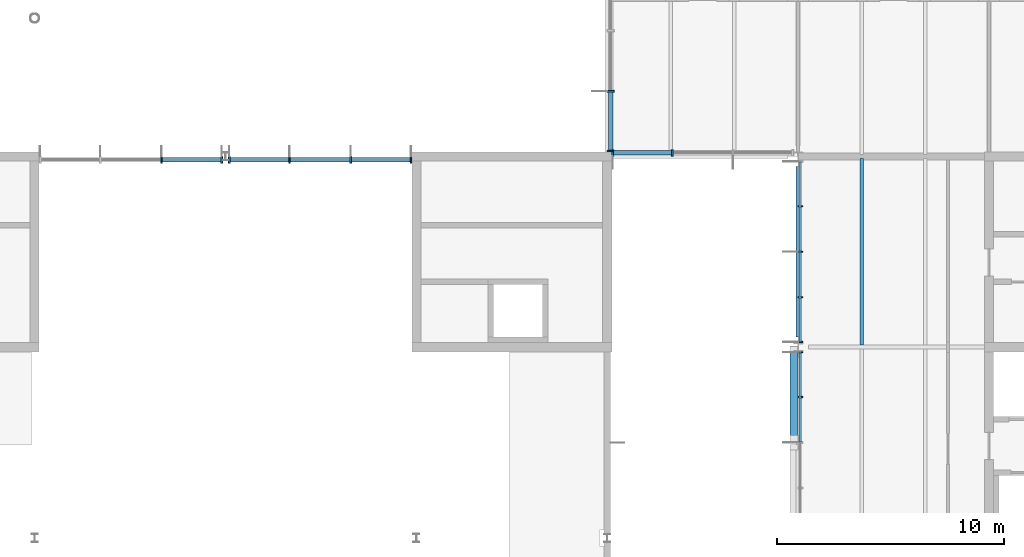
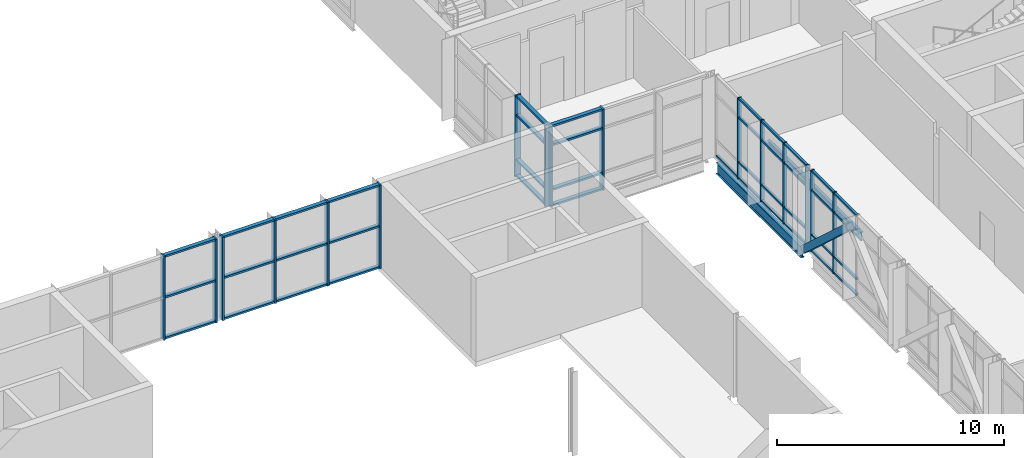
# One storey, part 27 of 89: 58 members, 2 beams, 6 elements without a shape of their own.
"""IFC4 building model written with IfcOpenShell, lengths in metres."""

from ifc_helpers import new_model, si_unit, direction, frame, origin, origin_2d, place, context, subcontext, project, spatial, rectangle, hollow_rectangle, i_section, extrude, material, material_profile, profile_set, type_object, element, aggregate, save


model = new_model("IFC4")

# Units and contexts
model_context = context("Model", 3, precision=1e-05, world=origin(), true_north=direction((0.0, 1.0)))
body_context = subcontext(model_context, "Body", "Model", "MODEL_VIEW")
ifc_project = project(units=[si_unit("LENGTHUNIT", "METRE"), si_unit("AREAUNIT", "SQUARE_METRE"), si_unit("VOLUMEUNIT", "CUBIC_METRE"), si_unit("PLANEANGLEUNIT", "RADIAN"), si_unit("MASSUNIT", "GRAM", prefix="KILO")], contexts=[model_context])

# Site, building, storey
site_placement = place(None, origin())
site = spatial("IfcSite", under=ifc_project, at=site_placement, CompositionType="ELEMENT")
building_placement = place(site_placement, origin())
building = spatial("IfcBuilding", under=site, at=building_placement, Name="Hlaing Beacon Police Headquarters", CompositionType="ELEMENT")
storey_placement = place(building_placement, frame((0.0, 0.0, 9.89990234375)))
storey = spatial("IfcBuildingStorey", under=building, at=storey_placement, Name="L02", CompositionType="ELEMENT", Elevation=9.89990234375)

# Member
ifc_material_1 = material(Name="Steel ASTM A500 Grade C", Category="steel")
ifc_material_profile_1 = material_profile(ifc_material_1, hollow_rectangle(XDim=0.355712890625, YDim=0.355712890625, WallThickness=0.015869140625, at=origin_2d()), Name="HSS14x14x5/8")
ifc_profile_set_1 = profile_set([ifc_material_profile_1], Name="Steel ASTM A500 Grade C")
member_type_1 = type_object("IfcMemberType", Name="Chevron brace HSS14x14x5/8", PredefinedType="BRACE", material=ifc_profile_set_1)
member_1_placement = place(storey_placement, frame((100.6181640625, 58.721923828125, 0.131103515625), z_axis=(0.0, -0.738007893761, 0.67479207816), x_axis=(1.0, 0.0, 0.0)))
element("IfcMember", 1, at=member_1_placement, inside=storey, type_object=member_type_1, Name="STR-BR-L02-N7b", PredefinedType="BRACE", context=body_context, shape_type="SweptSolid", body=[
    extrude(hollow_rectangle(XDim=0.355712890625, YDim=0.355712890625, WallThickness=0.015869140625, at=origin_2d()), origin(), (0.0, 0.0, 1.0), 5.314208984375),
])

# Beam
ifc_material_2 = material(Name="Steel ASTM A992 Grade 50", Category="steel")
ifc_material_profile_2 = material_profile(ifc_material_2, i_section(OverallWidth=0.177978515625, OverallDepth=0.599365234375, WebThickness=0.010009765625, FlangeThickness=0.012939453125, FilletRadius=0.012939453125, at=origin_2d()), Name="W24x55")
ifc_profile_set_2 = profile_set([ifc_material_profile_2], Name="Steel ASTM A992 Grade 50")
beam_type_1 = type_object("IfcBeamType", Name="Girder W24x55", PredefinedType="BEAM", material=ifc_profile_set_2)
beam_1_placement = place(storey_placement, frame((100.800048828125, 59.25, -0.4296875), z_axis=(0.0, 1.0, 0.0), x_axis=(-1.0, 0.0, 0.0)))
element("IfcBeam", 2, at=beam_1_placement, inside=storey, type_object=beam_type_1, Name="STR-BM-L02-GY-N8-N9", PredefinedType="BEAM", context=body_context, shape_type="SweptSolid", body=[
    extrude(i_section(OverallWidth=0.177978515625, OverallDepth=0.599365234375, WebThickness=0.010009765625, FlangeThickness=0.012939453125, FilletRadius=0.012939453125, at=origin_2d()), origin(), (0.0, 0.0, 1.0), 7.5),
])

# Curtain wall, members
ifc_material_3 = material(Name="Aluminium frame with solar control glazing", Category="aluminium")
curtain_wall_type_1 = type_object("IfcCurtainWallType", Name="Unitised curtain wall 8.02 x 4.37", PredefinedType="NOTDEFINED", material=ifc_material_3)
curtain_wall_1_placement = place(storey_placement, origin())
curtain_wall_1 = element("IfcCurtainWall", 3, at=curtain_wall_1_placement, inside=storey, type_object=curtain_wall_type_1, Name="ENV-CW-L02-W030", PredefinedType="NOTDEFINED")
ifc_material_4 = material(Name="Aluminium", Category="aluminium")
ifc_material_profile_3 = material_profile(ifc_material_4, rectangle(XDim=0.199951171875, YDim=0.06005859375, at=origin_2d()), Name="Mullion 60x200")
ifc_profile_set_3 = profile_set([ifc_material_profile_3], Name="Aluminium")
member_type_2 = type_object("IfcMemberType", Name="Mullion 60x200", PredefinedType="MULLION", material=ifc_profile_set_3)
member_2_placement = place(storey_placement, frame((100.89990234375, 65.00732421875, 0.0), z_axis=(0.0, 0.0, 1.0), x_axis=(1.0, 0.0, 0.0)))
member_2 = element("IfcMember", 4, at=member_2_placement, type_object=member_type_2, Name="CW-L02-W030 mullion 2", PredefinedType="MULLION", context=body_context, shape_type="SweptSolid", body=[
    extrude(rectangle(XDim=0.199951171875, YDim=0.06005859375, at=origin_2d()), origin(), (0.0, 0.0, 1.0), 4.3701171875),
])
member_3_placement = place(storey_placement, frame((100.89990234375, 63.00244140625, 0.0), z_axis=(0.0, 0.0, 1.0), x_axis=(1.0, 0.0, 0.0)))
member_3 = element("IfcMember", 5, at=member_3_placement, type_object=member_type_2, Name="CW-L02-W030 mullion 3", PredefinedType="MULLION", context=body_context, shape_type="SweptSolid", body=[
    extrude(rectangle(XDim=0.199951171875, YDim=0.06005859375, at=origin_2d()), origin(), (0.0, 0.0, 1.0), 4.3701171875),
])
member_4_placement = place(storey_placement, frame((100.89990234375, 60.997802734375, 0.0), z_axis=(0.0, 0.0, 1.0), x_axis=(1.0, 0.0, 0.0)))
member_4 = element("IfcMember", 6, at=member_4_placement, type_object=member_type_2, Name="CW-L02-W030 mullion 4", PredefinedType="MULLION", context=body_context, shape_type="SweptSolid", body=[
    extrude(rectangle(XDim=0.199951171875, YDim=0.06005859375, at=origin_2d()), origin(), (0.0, 0.0, 1.0), 4.3701171875),
])
member_5_placement = place(storey_placement, frame((100.89990234375, 59.02294921875, 0.0), z_axis=(0.0, 0.0, 1.0), x_axis=(1.0, 0.0, 0.0)))
member_5 = element("IfcMember", 7, at=member_5_placement, type_object=member_type_2, Name="CW-L02-W030 mullion 5", PredefinedType="MULLION", context=body_context, shape_type="SweptSolid", body=[
    extrude(rectangle(XDim=0.199951171875, YDim=0.06005859375, at=origin_2d()), origin(), (0.0, 0.0, 1.0), 4.3701171875),
])

ifc_material_5 = material(Name="Aluminium frame with solar control glazing", Category="aluminium")
curtain_wall_type_2 = type_object("IfcCurtainWallType", Name="Unitised curtain wall 8.01 x 4.37", PredefinedType="NOTDEFINED", material=ifc_material_5)
curtain_wall_2_placement = place(storey_placement, origin())
curtain_wall_2 = element("IfcCurtainWall", 8, at=curtain_wall_2_placement, inside=storey, type_object=curtain_wall_type_2, Name="ENV-CW-L02-W031", PredefinedType="NOTDEFINED")
member_6_placement = place(storey_placement, frame((100.89990234375, 58.576904296875, 0.0), z_axis=(0.0, 0.0, 1.0), x_axis=(1.0, 0.0, 0.0)))
member_6 = element("IfcMember", 9, at=member_6_placement, type_object=member_type_2, Name="CW-L02-W031 mullion 1", PredefinedType="MULLION", context=body_context, shape_type="SweptSolid", body=[
    extrude(rectangle(XDim=0.199951171875, YDim=0.06005859375, at=origin_2d()), origin(), (0.0, 0.0, 1.0), 4.3701171875),
])
member_7_placement = place(storey_placement, frame((100.89990234375, 56.603515625, 0.0), z_axis=(0.0, 0.0, 1.0), x_axis=(1.0, 0.0, 0.0)))
member_7 = element("IfcMember", 10, at=member_7_placement, type_object=member_type_2, Name="CW-L02-W031 mullion 2", PredefinedType="MULLION", context=body_context, shape_type="SweptSolid", body=[
    extrude(rectangle(XDim=0.199951171875, YDim=0.06005859375, at=origin_2d()), origin(), (0.0, 0.0, 1.0), 4.3701171875),
])

ifc_material_6 = material(Name="Aluminium frame with solar control glazing", Category="aluminium")
curtain_wall_type_3 = type_object("IfcCurtainWallType", Name="Structural glazed gable wall 8.07 x 4.50", PredefinedType="NOTDEFINED", material=ifc_material_6)
curtain_wall_3_placement = place(storey_placement, origin())
curtain_wall_3 = element("IfcCurtainWall", 11, at=curtain_wall_3_placement, inside=storey, type_object=curtain_wall_type_3, Name="ENV-CW-L02-N003", PredefinedType="NOTDEFINED")
ifc_material_7 = material(Name="Aluminium", Category="aluminium")
ifc_material_profile_4 = material_profile(ifc_material_7, rectangle(XDim=0.300048828125, YDim=0.080078125, at=origin_2d()), Name="Mullion 80x300")
ifc_profile_set_4 = profile_set([ifc_material_profile_4], Name="Aluminium")
member_type_3 = type_object("IfcMemberType", Name="Mullion 80x300", PredefinedType="MULLION", material=ifc_profile_set_4)
member_8_placement = place(storey_placement, frame((83.760009765625, 67.050048828125, 0.0), z_axis=(0.0, 0.0, 1.0), x_axis=(0.0, -1.0, 0.0)))
member_8 = element("IfcMember", 12, at=member_8_placement, type_object=member_type_3, Name="CW-L02-N003 mullion 1", PredefinedType="MULLION", context=body_context, shape_type="SweptSolid", body=[
    extrude(rectangle(XDim=0.300048828125, YDim=0.080078125, at=origin_2d()), origin(), (0.0, 0.0, 1.0), 4.5),
])
member_9_placement = place(storey_placement, frame((81.109375, 67.050048828125, 0.0), z_axis=(0.0, 0.0, 1.0), x_axis=(0.0, -1.0, 0.0)))
member_9 = element("IfcMember", 13, at=member_9_placement, type_object=member_type_3, Name="CW-L02-N003 mullion 2", PredefinedType="MULLION", context=body_context, shape_type="SweptSolid", body=[
    extrude(rectangle(XDim=0.300048828125, YDim=0.080078125, at=origin_2d()), origin(), (0.0, 0.0, 1.0), 4.5),
])
member_10_placement = place(storey_placement, frame((78.4189453125, 67.050048828125, 0.0), z_axis=(0.0, 0.0, 1.0), x_axis=(0.0, -1.0, 0.0)))
member_10 = element("IfcMember", 14, at=member_10_placement, type_object=member_type_3, Name="CW-L02-N003 mullion 3", PredefinedType="MULLION", context=body_context, shape_type="SweptSolid", body=[
    extrude(rectangle(XDim=0.300048828125, YDim=0.080078125, at=origin_2d()), origin(), (0.0, 0.0, 1.0), 4.5),
])
member_11_placement = place(storey_placement, frame((75.768310546875, 67.050048828125, 0.0), z_axis=(0.0, 0.0, 1.0), x_axis=(0.0, -1.0, 0.0)))
member_11 = element("IfcMember", 15, at=member_11_placement, type_object=member_type_3, Name="CW-L02-N003 mullion 4", PredefinedType="MULLION", context=body_context, shape_type="SweptSolid", body=[
    extrude(rectangle(XDim=0.300048828125, YDim=0.080078125, at=origin_2d()), origin(), (0.0, 0.0, 1.0), 4.5),
])

curtain_wall_4_placement = place(storey_placement, origin())
curtain_wall_4 = element("IfcCurtainWall", 16, at=curtain_wall_4_placement, inside=storey, type_object=curtain_wall_type_3, Name="ENV-CW-L02-N004", PredefinedType="NOTDEFINED")
member_12_placement = place(storey_placement, frame((75.431640625, 67.050048828125, 0.0), z_axis=(0.0, 0.0, 1.0), x_axis=(0.0, -1.0, 0.0)))
member_12 = element("IfcMember", 17, at=member_12_placement, type_object=member_type_3, Name="CW-L02-N004 mullion 1", PredefinedType="MULLION", context=body_context, shape_type="SweptSolid", body=[
    extrude(rectangle(XDim=0.300048828125, YDim=0.080078125, at=origin_2d()), origin(), (0.0, 0.0, 1.0), 4.5),
])
member_13_placement = place(storey_placement, frame((72.78125, 67.050048828125, 0.0), z_axis=(0.0, 0.0, 1.0), x_axis=(0.0, -1.0, 0.0)))
member_13 = element("IfcMember", 18, at=member_13_placement, type_object=member_type_3, Name="CW-L02-N004 mullion 2", PredefinedType="MULLION", context=body_context, shape_type="SweptSolid", body=[
    extrude(rectangle(XDim=0.300048828125, YDim=0.080078125, at=origin_2d()), origin(), (0.0, 0.0, 1.0), 4.5),
])

ifc_material_8 = material(Name="Aluminium frame with solar control glazing", Category="aluminium")
curtain_wall_type_4 = type_object("IfcCurtainWallType", Name="Structural glazed gable wall 8.00 x 4.37", PredefinedType="NOTDEFINED", material=ifc_material_8)
curtain_wall_5_placement = place(storey_placement, origin())
curtain_wall_5 = element("IfcCurtainWall", 19, at=curtain_wall_5_placement, inside=storey, type_object=curtain_wall_type_4, Name="ENV-CW-L02-W028", PredefinedType="NOTDEFINED")
member_14_placement = place(storey_placement, frame((92.550048828125, 70.066650390625, 0.0), z_axis=(0.0, 0.0, 1.0), x_axis=(1.0, 0.0, 0.0)))
member_14 = element("IfcMember", 20, at=member_14_placement, type_object=member_type_3, Name="CW-L02-W028 mullion 3", PredefinedType="MULLION", context=body_context, shape_type="SweptSolid", body=[
    extrude(rectangle(XDim=0.300048828125, YDim=0.080078125, at=origin_2d()), origin(), (0.0, 0.0, 1.0), 4.3701171875),
])
member_15_placement = place(storey_placement, frame((92.550048828125, 67.43994140625, 0.0), z_axis=(0.0, 0.0, 1.0), x_axis=(1.0, 0.0, 0.0)))
member_15 = element("IfcMember", 21, at=member_15_placement, type_object=member_type_3, Name="CW-L02-W028 mullion 4", PredefinedType="MULLION", context=body_context, shape_type="SweptSolid", body=[
    extrude(rectangle(XDim=0.300048828125, YDim=0.080078125, at=origin_2d()), origin(), (0.0, 0.0, 1.0), 4.3701171875),
])

curtain_wall_6_placement = place(storey_placement, origin())
curtain_wall_6 = element("IfcCurtainWall", 22, at=curtain_wall_6_placement, inside=storey, type_object=curtain_wall_type_4, Name="ENV-CW-L02-S029", PredefinedType="NOTDEFINED")
member_16_placement = place(storey_placement, frame((92.639892578125, 67.35009765625, 0.0), z_axis=(0.0, 0.0, 1.0), x_axis=(0.0, 1.0, 0.0)))
member_16 = element("IfcMember", 23, at=member_16_placement, type_object=member_type_3, Name="CW-L02-S029 mullion 1", PredefinedType="MULLION", context=body_context, shape_type="SweptSolid", body=[
    extrude(rectangle(XDim=0.300048828125, YDim=0.080078125, at=origin_2d()), origin(), (0.0, 0.0, 1.0), 4.3701171875),
])
member_17_placement = place(storey_placement, frame((95.267822265625, 67.35009765625, 0.0), z_axis=(0.0, 0.0, 1.0), x_axis=(0.0, 1.0, 0.0)))
member_17 = element("IfcMember", 24, at=member_17_placement, type_object=member_type_3, Name="CW-L02-S029 mullion 2", PredefinedType="MULLION", context=body_context, shape_type="SweptSolid", body=[
    extrude(rectangle(XDim=0.300048828125, YDim=0.080078125, at=origin_2d()), origin(), (0.0, 0.0, 1.0), 4.3701171875),
])

# Beam
ifc_material_9 = material(Name="Steel ASTM A992 Grade 50", Category="steel")
ifc_material_profile_5 = material_profile(ifc_material_9, i_section(OverallWidth=0.15234375, OverallDepth=0.449462890625, WebThickness=0.007568359375, FlangeThickness=0.0107421875, FilletRadius=0.01025390625, at=origin_2d()), Name="W18x35")
ifc_profile_set_5 = profile_set([ifc_material_profile_5], Name="Steel ASTM A992 Grade 50")
beam_type_2 = type_object("IfcBeamType", Name="Secondary beam W18x35", PredefinedType="BEAM", material=ifc_profile_set_5)
beam_2_placement = place(storey_placement, frame((103.60009765625, 58.888916015625, -0.354736328125), z_axis=(0.0, 1.0, 0.0), x_axis=(-1.0, 0.0, 0.0)))
element("IfcBeam", 25, at=beam_2_placement, inside=storey, type_object=beam_type_2, Name="STR-BM-L02-SB-N8-y1", PredefinedType="BEAM", context=body_context, shape_type="SweptSolid", body=[
    extrude(i_section(OverallWidth=0.15234375, OverallDepth=0.449462890625, WebThickness=0.007568359375, FlangeThickness=0.0107421875, FilletRadius=0.01025390625, at=origin_2d()), origin(), (0.0, 0.0, 1.0), 8.22216796875),
])

# Member
ifc_material_10 = material(Name="Aluminium", Category="aluminium")
ifc_material_profile_6 = material_profile(ifc_material_10, rectangle(XDim=0.1201171875, YDim=0.10009765625, at=origin_2d()), Name="Transom 120x100")
ifc_profile_set_6 = profile_set([ifc_material_profile_6], Name="Aluminium")
member_type_4 = type_object("IfcMemberType", Name="Transom 120x100", PredefinedType="USERDEFINED", material=ifc_profile_set_6)
member_18_placement = place(storey_placement, frame((100.89990234375, 66.951904296875, 0.050048828125), z_axis=(0.0, -1.0, 0.0), x_axis=(1.0, 0.0, 0.0)))
member_18 = element("IfcMember", 26, at=member_18_placement, type_object=member_type_4, Name="CW-L02-W030 transom 1.1", ObjectType="TRANSOM", PredefinedType="USERDEFINED", context=body_context, shape_type="SweptSolid", body=[
    extrude(rectangle(XDim=0.1201171875, YDim=0.10009765625, at=origin_2d()), origin(), (0.0, 0.0, 1.0), 1.91455078125),
])

member_19_placement = place(storey_placement, frame((100.89990234375, 64.977294921875, 0.050048828125), z_axis=(0.0, -1.0, 0.0), x_axis=(1.0, 0.0, 0.0)))
member_19 = element("IfcMember", 27, at=member_19_placement, type_object=member_type_4, Name="CW-L02-W030 transom 2.1", ObjectType="TRANSOM", PredefinedType="USERDEFINED", context=body_context, shape_type="SweptSolid", body=[
    extrude(rectangle(XDim=0.1201171875, YDim=0.10009765625, at=origin_2d()), origin(), (0.0, 0.0, 1.0), 1.94482421875),
])

member_20_placement = place(storey_placement, frame((100.89990234375, 64.977294921875, 0.900146484375), z_axis=(0.0, -1.0, 0.0), x_axis=(1.0, 0.0, 0.0)))
member_20 = element("IfcMember", 28, at=member_20_placement, type_object=member_type_4, Name="CW-L02-W030 transom 2.2", ObjectType="TRANSOM", PredefinedType="USERDEFINED", context=body_context, shape_type="SweptSolid", body=[
    extrude(rectangle(XDim=0.1201171875, YDim=0.10009765625, at=origin_2d()), origin(), (0.0, 0.0, 1.0), 1.94482421875),
])

member_21_placement = place(storey_placement, frame((100.89990234375, 64.977294921875, 3.300048828125), z_axis=(0.0, -1.0, 0.0), x_axis=(1.0, 0.0, 0.0)))
member_21 = element("IfcMember", 29, at=member_21_placement, type_object=member_type_4, Name="CW-L02-W030 transom 2.3", ObjectType="TRANSOM", PredefinedType="USERDEFINED", context=body_context, shape_type="SweptSolid", body=[
    extrude(rectangle(XDim=0.1201171875, YDim=0.10009765625, at=origin_2d()), origin(), (0.0, 0.0, 1.0), 1.94482421875),
])

member_22_placement = place(storey_placement, frame((100.89990234375, 64.977294921875, 4.320068359375), z_axis=(0.0, -1.0, 0.0), x_axis=(1.0, 0.0, 0.0)))
member_22 = element("IfcMember", 30, at=member_22_placement, type_object=member_type_4, Name="CW-L02-W030 transom 2.4", ObjectType="TRANSOM", PredefinedType="USERDEFINED", context=body_context, shape_type="SweptSolid", body=[
    extrude(rectangle(XDim=0.1201171875, YDim=0.10009765625, at=origin_2d()), origin(), (0.0, 0.0, 1.0), 1.94482421875),
])

member_23_placement = place(storey_placement, frame((100.89990234375, 62.972412109375, 0.050048828125), z_axis=(0.0, -1.0, 0.0), x_axis=(1.0, 0.0, 0.0)))
member_23 = element("IfcMember", 31, at=member_23_placement, type_object=member_type_4, Name="CW-L02-W030 transom 3.1", ObjectType="TRANSOM", PredefinedType="USERDEFINED", context=body_context, shape_type="SweptSolid", body=[
    extrude(rectangle(XDim=0.1201171875, YDim=0.10009765625, at=origin_2d()), origin(), (0.0, 0.0, 1.0), 1.944580078125),
])

member_24_placement = place(storey_placement, frame((100.89990234375, 62.972412109375, 0.900146484375), z_axis=(0.0, -1.0, 0.0), x_axis=(1.0, 0.0, 0.0)))
member_24 = element("IfcMember", 32, at=member_24_placement, type_object=member_type_4, Name="CW-L02-W030 transom 3.2", ObjectType="TRANSOM", PredefinedType="USERDEFINED", context=body_context, shape_type="SweptSolid", body=[
    extrude(rectangle(XDim=0.1201171875, YDim=0.10009765625, at=origin_2d()), origin(), (0.0, 0.0, 1.0), 1.944580078125),
])

member_25_placement = place(storey_placement, frame((100.89990234375, 62.972412109375, 3.300048828125), z_axis=(0.0, -1.0, 0.0), x_axis=(1.0, 0.0, 0.0)))
member_25 = element("IfcMember", 33, at=member_25_placement, type_object=member_type_4, Name="CW-L02-W030 transom 3.3", ObjectType="TRANSOM", PredefinedType="USERDEFINED", context=body_context, shape_type="SweptSolid", body=[
    extrude(rectangle(XDim=0.1201171875, YDim=0.10009765625, at=origin_2d()), origin(), (0.0, 0.0, 1.0), 1.944580078125),
])

member_26_placement = place(storey_placement, frame((100.89990234375, 62.972412109375, 4.320068359375), z_axis=(0.0, -1.0, 0.0), x_axis=(1.0, 0.0, 0.0)))
member_26 = element("IfcMember", 34, at=member_26_placement, type_object=member_type_4, Name="CW-L02-W030 transom 3.4", ObjectType="TRANSOM", PredefinedType="USERDEFINED", context=body_context, shape_type="SweptSolid", body=[
    extrude(rectangle(XDim=0.1201171875, YDim=0.10009765625, at=origin_2d()), origin(), (0.0, 0.0, 1.0), 1.944580078125),
])

member_27_placement = place(storey_placement, frame((100.89990234375, 60.9677734375, 0.050048828125), z_axis=(0.0, -1.0, 0.0), x_axis=(1.0, 0.0, 0.0)))
member_27 = element("IfcMember", 35, at=member_27_placement, type_object=member_type_4, Name="CW-L02-W030 transom 4.1", ObjectType="TRANSOM", PredefinedType="USERDEFINED", context=body_context, shape_type="SweptSolid", body=[
    extrude(rectangle(XDim=0.1201171875, YDim=0.10009765625, at=origin_2d()), origin(), (0.0, 0.0, 1.0), 1.914794921875),
])

member_28_placement = place(storey_placement, frame((100.89990234375, 60.9677734375, 0.900146484375), z_axis=(0.0, -1.0, 0.0), x_axis=(1.0, 0.0, 0.0)))
member_28 = element("IfcMember", 36, at=member_28_placement, type_object=member_type_4, Name="CW-L02-W030 transom 4.2", ObjectType="TRANSOM", PredefinedType="USERDEFINED", context=body_context, shape_type="SweptSolid", body=[
    extrude(rectangle(XDim=0.1201171875, YDim=0.10009765625, at=origin_2d()), origin(), (0.0, 0.0, 1.0), 1.914794921875),
])

member_29_placement = place(storey_placement, frame((100.89990234375, 60.9677734375, 3.300048828125), z_axis=(0.0, -1.0, 0.0), x_axis=(1.0, 0.0, 0.0)))
member_29 = element("IfcMember", 37, at=member_29_placement, type_object=member_type_4, Name="CW-L02-W030 transom 4.3", ObjectType="TRANSOM", PredefinedType="USERDEFINED", context=body_context, shape_type="SweptSolid", body=[
    extrude(rectangle(XDim=0.1201171875, YDim=0.10009765625, at=origin_2d()), origin(), (0.0, 0.0, 1.0), 1.914794921875),
])

member_30_placement = place(storey_placement, frame((100.89990234375, 60.9677734375, 4.320068359375), z_axis=(0.0, -1.0, 0.0), x_axis=(1.0, 0.0, 0.0)))
member_30 = element("IfcMember", 38, at=member_30_placement, type_object=member_type_4, Name="CW-L02-W030 transom 4.4", ObjectType="TRANSOM", PredefinedType="USERDEFINED", context=body_context, shape_type="SweptSolid", body=[
    extrude(rectangle(XDim=0.1201171875, YDim=0.10009765625, at=origin_2d()), origin(), (0.0, 0.0, 1.0), 1.914794921875),
])

aggregate(curtain_wall_1, [member_2, member_3, member_4, member_5, member_18, member_19, member_20, member_21, member_22, member_23, member_24, member_25, member_26, member_27, member_28, member_29, member_30])

member_31_placement = place(storey_placement, frame((100.89990234375, 58.547119140625, 0.050048828125), z_axis=(0.0, -1.0, 0.0), x_axis=(1.0, 0.0, 0.0)))
member_31 = element("IfcMember", 39, at=member_31_placement, type_object=member_type_4, Name="CW-L02-W031 transom 1.1", ObjectType="TRANSOM", PredefinedType="USERDEFINED", context=body_context, shape_type="SweptSolid", body=[
    extrude(rectangle(XDim=0.1201171875, YDim=0.10009765625, at=origin_2d()), origin(), (0.0, 0.0, 1.0), 1.91357421875),
])

member_32_placement = place(storey_placement, frame((100.89990234375, 58.547119140625, 0.900146484375), z_axis=(0.0, -1.0, 0.0), x_axis=(1.0, 0.0, 0.0)))
member_32 = element("IfcMember", 40, at=member_32_placement, type_object=member_type_4, Name="CW-L02-W031 transom 1.2", ObjectType="TRANSOM", PredefinedType="USERDEFINED", context=body_context, shape_type="SweptSolid", body=[
    extrude(rectangle(XDim=0.1201171875, YDim=0.10009765625, at=origin_2d()), origin(), (0.0, 0.0, 1.0), 1.91357421875),
])

member_33_placement = place(storey_placement, frame((100.89990234375, 58.547119140625, 3.300048828125), z_axis=(0.0, -1.0, 0.0), x_axis=(1.0, 0.0, 0.0)))
member_33 = element("IfcMember", 41, at=member_33_placement, type_object=member_type_4, Name="CW-L02-W031 transom 1.3", ObjectType="TRANSOM", PredefinedType="USERDEFINED", context=body_context, shape_type="SweptSolid", body=[
    extrude(rectangle(XDim=0.1201171875, YDim=0.10009765625, at=origin_2d()), origin(), (0.0, 0.0, 1.0), 1.91357421875),
])

member_34_placement = place(storey_placement, frame((100.89990234375, 58.547119140625, 4.320068359375), z_axis=(0.0, -1.0, 0.0), x_axis=(1.0, 0.0, 0.0)))
member_34 = element("IfcMember", 42, at=member_34_placement, type_object=member_type_4, Name="CW-L02-W031 transom 1.4", ObjectType="TRANSOM", PredefinedType="USERDEFINED", context=body_context, shape_type="SweptSolid", body=[
    extrude(rectangle(XDim=0.1201171875, YDim=0.10009765625, at=origin_2d()), origin(), (0.0, 0.0, 1.0), 1.91357421875),
])

member_35_placement = place(storey_placement, frame((100.89990234375, 56.573486328125, 0.050048828125), z_axis=(0.0, -1.0, 0.0), x_axis=(1.0, 0.0, 0.0)))
member_35 = element("IfcMember", 43, at=member_35_placement, type_object=member_type_4, Name="CW-L02-W031 transom 2.1", ObjectType="TRANSOM", PredefinedType="USERDEFINED", context=body_context, shape_type="SweptSolid", body=[
    extrude(rectangle(XDim=0.1201171875, YDim=0.10009765625, at=origin_2d()), origin(), (0.0, 0.0, 1.0), 1.943603515625),
])

member_36_placement = place(storey_placement, frame((100.89990234375, 56.573486328125, 0.900146484375), z_axis=(0.0, -1.0, 0.0), x_axis=(1.0, 0.0, 0.0)))
member_36 = element("IfcMember", 44, at=member_36_placement, type_object=member_type_4, Name="CW-L02-W031 transom 2.2", ObjectType="TRANSOM", PredefinedType="USERDEFINED", context=body_context, shape_type="SweptSolid", body=[
    extrude(rectangle(XDim=0.1201171875, YDim=0.10009765625, at=origin_2d()), origin(), (0.0, 0.0, 1.0), 1.943603515625),
])

member_37_placement = place(storey_placement, frame((100.89990234375, 56.573486328125, 3.300048828125), z_axis=(0.0, -1.0, 0.0), x_axis=(1.0, 0.0, 0.0)))
member_37 = element("IfcMember", 45, at=member_37_placement, type_object=member_type_4, Name="CW-L02-W031 transom 2.3", ObjectType="TRANSOM", PredefinedType="USERDEFINED", context=body_context, shape_type="SweptSolid", body=[
    extrude(rectangle(XDim=0.1201171875, YDim=0.10009765625, at=origin_2d()), origin(), (0.0, 0.0, 1.0), 1.943603515625),
])

member_38_placement = place(storey_placement, frame((100.89990234375, 56.573486328125, 4.320068359375), z_axis=(0.0, -1.0, 0.0), x_axis=(1.0, 0.0, 0.0)))
member_38 = element("IfcMember", 46, at=member_38_placement, type_object=member_type_4, Name="CW-L02-W031 transom 2.4", ObjectType="TRANSOM", PredefinedType="USERDEFINED", context=body_context, shape_type="SweptSolid", body=[
    extrude(rectangle(XDim=0.1201171875, YDim=0.10009765625, at=origin_2d()), origin(), (0.0, 0.0, 1.0), 1.943603515625),
])

aggregate(curtain_wall_2, [member_6, member_7, member_31, member_32, member_33, member_34, member_35, member_36, member_37, member_38])

ifc_material_11 = material(Name="Aluminium", Category="aluminium")
ifc_material_profile_7 = material_profile(ifc_material_11, rectangle(XDim=0.199951171875, YDim=0.10009765625, at=origin_2d()), Name="Transom 200x100")
ifc_profile_set_7 = profile_set([ifc_material_profile_7], Name="Aluminium")
member_type_5 = type_object("IfcMemberType", Name="Transom 200x100", PredefinedType="USERDEFINED", material=ifc_profile_set_7)
member_39_placement = place(storey_placement, frame((83.719970703125, 67.050048828125, 0.050048828125), z_axis=(-1.0, 0.0, 0.0), x_axis=(0.0, -1.0, 0.0)))
member_39 = element("IfcMember", 47, at=member_39_placement, type_object=member_type_5, Name="CW-L02-N003 transom 1.1", ObjectType="TRANSOM", PredefinedType="USERDEFINED", context=body_context, shape_type="SweptSolid", body=[
    extrude(rectangle(XDim=0.199951171875, YDim=0.10009765625, at=origin_2d()), origin(), (0.0, 0.0, 1.0), 2.570556640625),
])

member_40_placement = place(storey_placement, frame((83.719970703125, 67.050048828125, 2.25), z_axis=(-1.0, 0.0, 0.0), x_axis=(0.0, -1.0, 0.0)))
member_40 = element("IfcMember", 48, at=member_40_placement, type_object=member_type_5, Name="CW-L02-N003 transom 1.2", ObjectType="TRANSOM", PredefinedType="USERDEFINED", context=body_context, shape_type="SweptSolid", body=[
    extrude(rectangle(XDim=0.199951171875, YDim=0.10009765625, at=origin_2d()), origin(), (0.0, 0.0, 1.0), 2.570556640625),
])

member_41_placement = place(storey_placement, frame((83.719970703125, 67.050048828125, 4.4501953125), z_axis=(-1.0, 0.0, 0.0), x_axis=(0.0, -1.0, 0.0)))
member_41 = element("IfcMember", 49, at=member_41_placement, type_object=member_type_5, Name="CW-L02-N003 transom 1.3", ObjectType="TRANSOM", PredefinedType="USERDEFINED", context=body_context, shape_type="SweptSolid", body=[
    extrude(rectangle(XDim=0.199951171875, YDim=0.10009765625, at=origin_2d()), origin(), (0.0, 0.0, 1.0), 2.570556640625),
])

member_42_placement = place(storey_placement, frame((81.0693359375, 67.050048828125, 0.050048828125), z_axis=(-1.0, 0.0, 0.0), x_axis=(0.0, -1.0, 0.0)))
member_42 = element("IfcMember", 50, at=member_42_placement, type_object=member_type_5, Name="CW-L02-N003 transom 2.1", ObjectType="TRANSOM", PredefinedType="USERDEFINED", context=body_context, shape_type="SweptSolid", body=[
    extrude(rectangle(XDim=0.199951171875, YDim=0.10009765625, at=origin_2d()), origin(), (0.0, 0.0, 1.0), 2.6103515625),
])

member_43_placement = place(storey_placement, frame((81.0693359375, 67.050048828125, 2.25), z_axis=(-1.0, 0.0, 0.0), x_axis=(0.0, -1.0, 0.0)))
member_43 = element("IfcMember", 51, at=member_43_placement, type_object=member_type_5, Name="CW-L02-N003 transom 2.2", ObjectType="TRANSOM", PredefinedType="USERDEFINED", context=body_context, shape_type="SweptSolid", body=[
    extrude(rectangle(XDim=0.199951171875, YDim=0.10009765625, at=origin_2d()), origin(), (0.0, 0.0, 1.0), 2.6103515625),
])

member_44_placement = place(storey_placement, frame((81.0693359375, 67.050048828125, 4.4501953125), z_axis=(-1.0, 0.0, 0.0), x_axis=(0.0, -1.0, 0.0)))
member_44 = element("IfcMember", 52, at=member_44_placement, type_object=member_type_5, Name="CW-L02-N003 transom 2.3", ObjectType="TRANSOM", PredefinedType="USERDEFINED", context=body_context, shape_type="SweptSolid", body=[
    extrude(rectangle(XDim=0.199951171875, YDim=0.10009765625, at=origin_2d()), origin(), (0.0, 0.0, 1.0), 2.6103515625),
])

member_45_placement = place(storey_placement, frame((78.37890625, 67.050048828125, 0.050048828125), z_axis=(-1.0, 0.0, 0.0), x_axis=(0.0, -1.0, 0.0)))
member_45 = element("IfcMember", 53, at=member_45_placement, type_object=member_type_5, Name="CW-L02-N003 transom 3.1", ObjectType="TRANSOM", PredefinedType="USERDEFINED", context=body_context, shape_type="SweptSolid", body=[
    extrude(rectangle(XDim=0.199951171875, YDim=0.10009765625, at=origin_2d()), origin(), (0.0, 0.0, 1.0), 2.570556640625),
])

member_46_placement = place(storey_placement, frame((78.37890625, 67.050048828125, 2.25), z_axis=(-1.0, 0.0, 0.0), x_axis=(0.0, -1.0, 0.0)))
member_46 = element("IfcMember", 54, at=member_46_placement, type_object=member_type_5, Name="CW-L02-N003 transom 3.2", ObjectType="TRANSOM", PredefinedType="USERDEFINED", context=body_context, shape_type="SweptSolid", body=[
    extrude(rectangle(XDim=0.199951171875, YDim=0.10009765625, at=origin_2d()), origin(), (0.0, 0.0, 1.0), 2.570556640625),
])

member_47_placement = place(storey_placement, frame((78.37890625, 67.050048828125, 4.4501953125), z_axis=(-1.0, 0.0, 0.0), x_axis=(0.0, -1.0, 0.0)))
member_47 = element("IfcMember", 55, at=member_47_placement, type_object=member_type_5, Name="CW-L02-N003 transom 3.3", ObjectType="TRANSOM", PredefinedType="USERDEFINED", context=body_context, shape_type="SweptSolid", body=[
    extrude(rectangle(XDim=0.199951171875, YDim=0.10009765625, at=origin_2d()), origin(), (0.0, 0.0, 1.0), 2.570556640625),
])

aggregate(curtain_wall_3, [member_8, member_9, member_10, member_11, member_39, member_40, member_41, member_42, member_43, member_44, member_45, member_46, member_47])

member_48_placement = place(storey_placement, frame((75.3916015625, 67.050048828125, 0.050048828125), z_axis=(-1.0, 0.0, 0.0), x_axis=(0.0, -1.0, 0.0)))
member_48 = element("IfcMember", 56, at=member_48_placement, type_object=member_type_5, Name="CW-L02-N004 transom 1.1", ObjectType="TRANSOM", PredefinedType="USERDEFINED", context=body_context, shape_type="SweptSolid", body=[
    extrude(rectangle(XDim=0.199951171875, YDim=0.10009765625, at=origin_2d()), origin(), (0.0, 0.0, 1.0), 2.570556640625),
])

member_49_placement = place(storey_placement, frame((75.3916015625, 67.050048828125, 2.25), z_axis=(-1.0, 0.0, 0.0), x_axis=(0.0, -1.0, 0.0)))
member_49 = element("IfcMember", 57, at=member_49_placement, type_object=member_type_5, Name="CW-L02-N004 transom 1.2", ObjectType="TRANSOM", PredefinedType="USERDEFINED", context=body_context, shape_type="SweptSolid", body=[
    extrude(rectangle(XDim=0.199951171875, YDim=0.10009765625, at=origin_2d()), origin(), (0.0, 0.0, 1.0), 2.570556640625),
])

member_50_placement = place(storey_placement, frame((75.3916015625, 67.050048828125, 4.4501953125), z_axis=(-1.0, 0.0, 0.0), x_axis=(0.0, -1.0, 0.0)))
member_50 = element("IfcMember", 58, at=member_50_placement, type_object=member_type_5, Name="CW-L02-N004 transom 1.3", ObjectType="TRANSOM", PredefinedType="USERDEFINED", context=body_context, shape_type="SweptSolid", body=[
    extrude(rectangle(XDim=0.199951171875, YDim=0.10009765625, at=origin_2d()), origin(), (0.0, 0.0, 1.0), 2.570556640625),
])

aggregate(curtain_wall_4, [member_12, member_13, member_48, member_49, member_50])

member_51_placement = place(storey_placement, frame((92.550048828125, 70.026611328125, 0.050048828125), z_axis=(0.0, -1.0, 0.0), x_axis=(1.0, 0.0, 0.0)))
member_51 = element("IfcMember", 59, at=member_51_placement, type_object=member_type_5, Name="CW-L02-W028 transom 3.1", ObjectType="TRANSOM", PredefinedType="USERDEFINED", context=body_context, shape_type="SweptSolid", body=[
    extrude(rectangle(XDim=0.199951171875, YDim=0.10009765625, at=origin_2d()), origin(), (0.0, 0.0, 1.0), 2.546630859375),
])

member_52_placement = place(storey_placement, frame((92.550048828125, 70.026611328125, 0.900146484375), z_axis=(0.0, -1.0, 0.0), x_axis=(1.0, 0.0, 0.0)))
member_52 = element("IfcMember", 60, at=member_52_placement, type_object=member_type_5, Name="CW-L02-W028 transom 3.2", ObjectType="TRANSOM", PredefinedType="USERDEFINED", context=body_context, shape_type="SweptSolid", body=[
    extrude(rectangle(XDim=0.199951171875, YDim=0.10009765625, at=origin_2d()), origin(), (0.0, 0.0, 1.0), 2.546630859375),
])

member_53_placement = place(storey_placement, frame((92.550048828125, 70.026611328125, 3.300048828125), z_axis=(0.0, -1.0, 0.0), x_axis=(1.0, 0.0, 0.0)))
member_53 = element("IfcMember", 61, at=member_53_placement, type_object=member_type_5, Name="CW-L02-W028 transom 3.3", ObjectType="TRANSOM", PredefinedType="USERDEFINED", context=body_context, shape_type="SweptSolid", body=[
    extrude(rectangle(XDim=0.199951171875, YDim=0.10009765625, at=origin_2d()), origin(), (0.0, 0.0, 1.0), 2.546630859375),
])

member_54_placement = place(storey_placement, frame((92.550048828125, 70.026611328125, 4.320068359375), z_axis=(0.0, -1.0, 0.0), x_axis=(1.0, 0.0, 0.0)))
member_54 = element("IfcMember", 62, at=member_54_placement, type_object=member_type_5, Name="CW-L02-W028 transom 3.4", ObjectType="TRANSOM", PredefinedType="USERDEFINED", context=body_context, shape_type="SweptSolid", body=[
    extrude(rectangle(XDim=0.199951171875, YDim=0.10009765625, at=origin_2d()), origin(), (0.0, 0.0, 1.0), 2.546630859375),
])

aggregate(curtain_wall_5, [member_14, member_15, member_51, member_52, member_53, member_54])

member_55_placement = place(storey_placement, frame((92.679931640625, 67.35009765625, 0.050048828125), z_axis=(1.0, 0.0, 0.0), x_axis=(0.0, 1.0, 0.0)))
member_55 = element("IfcMember", 63, at=member_55_placement, type_object=member_type_5, Name="CW-L02-S029 transom 1.1", ObjectType="TRANSOM", PredefinedType="USERDEFINED", context=body_context, shape_type="SweptSolid", body=[
    extrude(rectangle(XDim=0.199951171875, YDim=0.10009765625, at=origin_2d()), origin(), (0.0, 0.0, 1.0), 2.5478515625),
])

member_56_placement = place(storey_placement, frame((92.679931640625, 67.35009765625, 0.900146484375), z_axis=(1.0, 0.0, 0.0), x_axis=(0.0, 1.0, 0.0)))
member_56 = element("IfcMember", 64, at=member_56_placement, type_object=member_type_5, Name="CW-L02-S029 transom 1.2", ObjectType="TRANSOM", PredefinedType="USERDEFINED", context=body_context, shape_type="SweptSolid", body=[
    extrude(rectangle(XDim=0.199951171875, YDim=0.10009765625, at=origin_2d()), origin(), (0.0, 0.0, 1.0), 2.5478515625),
])

member_57_placement = place(storey_placement, frame((92.679931640625, 67.35009765625, 3.300048828125), z_axis=(1.0, 0.0, 0.0), x_axis=(0.0, 1.0, 0.0)))
member_57 = element("IfcMember", 65, at=member_57_placement, type_object=member_type_5, Name="CW-L02-S029 transom 1.3", ObjectType="TRANSOM", PredefinedType="USERDEFINED", context=body_context, shape_type="SweptSolid", body=[
    extrude(rectangle(XDim=0.199951171875, YDim=0.10009765625, at=origin_2d()), origin(), (0.0, 0.0, 1.0), 2.5478515625),
])

member_58_placement = place(storey_placement, frame((92.679931640625, 67.35009765625, 4.320068359375), z_axis=(1.0, 0.0, 0.0), x_axis=(0.0, 1.0, 0.0)))
member_58 = element("IfcMember", 66, at=member_58_placement, type_object=member_type_5, Name="CW-L02-S029 transom 1.4", ObjectType="TRANSOM", PredefinedType="USERDEFINED", context=body_context, shape_type="SweptSolid", body=[
    extrude(rectangle(XDim=0.199951171875, YDim=0.10009765625, at=origin_2d()), origin(), (0.0, 0.0, 1.0), 2.5478515625),
])

aggregate(curtain_wall_6, [member_16, member_17, member_55, member_56, member_57, member_58])

save(model, "model.ifc")
